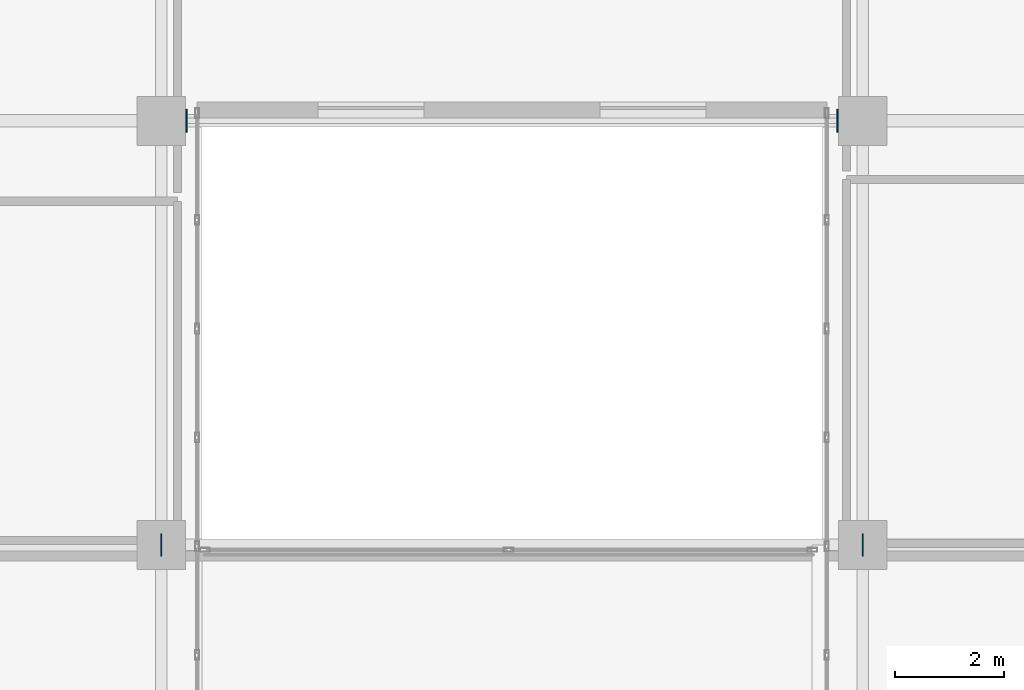
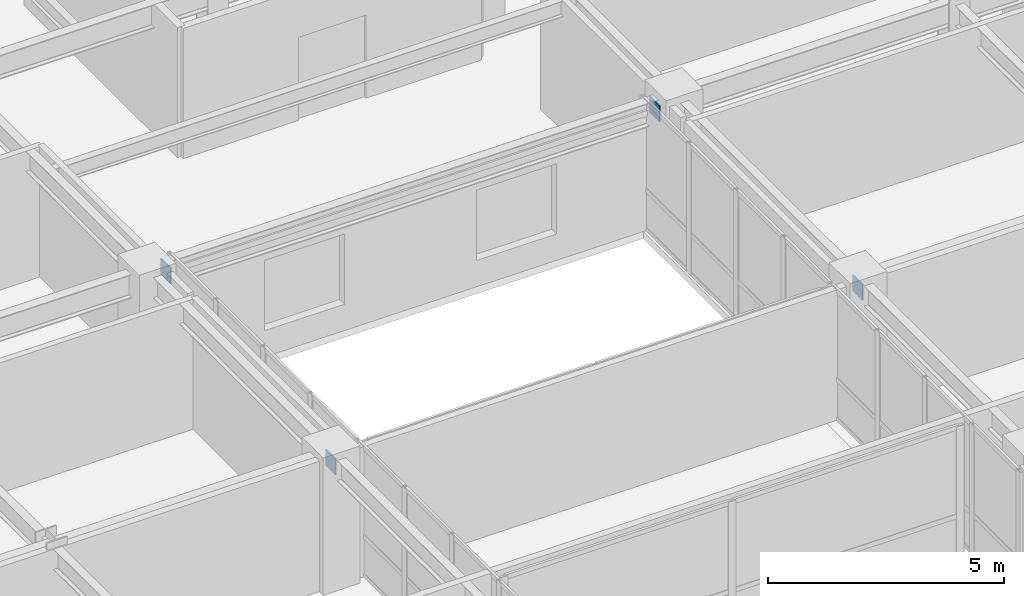
# One storey, part 17 of 25: 4 plates.
"""IFC4 building model written with IfcOpenShell, lengths in metres."""

from ifc_helpers import new_model, si_unit, direction, frame, origin, origin_2d, place, context, subcontext, project, spatial, rectangle, extrude, source, transform, mapped, material, layer, layer_set, type_object, type_shapes, element, save


model = new_model("IFC4")

# Units and contexts
model_context = context("Model", 3, precision=1e-05, world=origin(), true_north=direction((0.0, 1.0)))
body_context = subcontext(model_context, "Body", "Model", "MODEL_VIEW")
ifc_project = project(units=[si_unit("LENGTHUNIT", "METRE"), si_unit("AREAUNIT", "SQUARE_METRE"), si_unit("VOLUMEUNIT", "CUBIC_METRE"), si_unit("PLANEANGLEUNIT", "RADIAN"), si_unit("MASSUNIT", "GRAM", prefix="KILO")], contexts=[model_context])

# Site, building, storey
site_placement = place(None, origin())
site = spatial("IfcSite", under=ifc_project, at=site_placement, CompositionType="ELEMENT")
building_placement = place(site_placement, origin())
building = spatial("IfcBuilding", under=site, at=building_placement, Name="Tolvann Quenvar Hotel", CompositionType="ELEMENT")
storey_placement = place(building_placement, frame((0.0, 0.0, 78.14990234375)))
storey = spatial("IfcBuildingStorey", under=building, at=storey_placement, Name="L19", CompositionType="ELEMENT", Elevation=78.14990234375)

# Plates
ifc_material = material(Name="Steel Grade 350", Category="steel")
ifc_layer = layer(ifc_material, 0.02490234375)
ifc_layer_set = layer_set([ifc_layer], Name="Steel Grade 350")
plate_type = type_object("IfcPlateType", Name="PLT_ENDCAP_25", PredefinedType="SHEET", material=ifc_layer_set)
shared_shape = source(origin(), body_context, "Body", "SweptSolid", [
    extrude(rectangle(XDim=0.02490234375, YDim=0.419921875, at=origin_2d()), origin(), (0.0, 0.0, 1.0), 0.419921875),
])
type_shapes(plate_type, [shared_shape])
for number, where, z_axis, x_axis, name in (
    (1, (22.050048828125, 8.199951171875, 2.81005859375), (0.0, 0.0, 1.0), (1.0, 0.0, 0.0), "Skybridge Tie End Plate EC-1 (L19-1)"),
    (2, (22.514892578125, 16.0, 2.860107421875), (0.0, 0.0, 1.0), (1.0, 0.0, 0.0), "Atrium Girt End Plate EC-1 (L19-1)"),
    (3, (34.949951171875, 8.199951171875, 2.81005859375), (0.0, 0.0, 1.0), (1.0, 0.0, 0.0), "Skybridge Tie End Plate EC-1 (L19-2)"),
    (4, (34.485107421875, 16.0, 2.860107421875), (0.0, 0.0, 1.0), (1.0, 0.0, 0.0), "Atrium Girt End Plate EC-1 (L19-2)"),
):
    element("IfcPlate", number, at=place(storey_placement, frame(where, z_axis=z_axis, x_axis=x_axis)), inside=storey, type_object=plate_type, Name=name, PredefinedType="SHEET", context=body_context, shape_type="MappedRepresentation", body=[
        mapped(shared_shape, transform((0.0, 0.0, 0.0), x_axis=(1.0, 0.0, 0.0), y_axis=(0.0, 1.0, 0.0), z_axis=(0.0, 0.0, 1.0), scale=1.0)),
    ])

save(model, "model.ifc")
